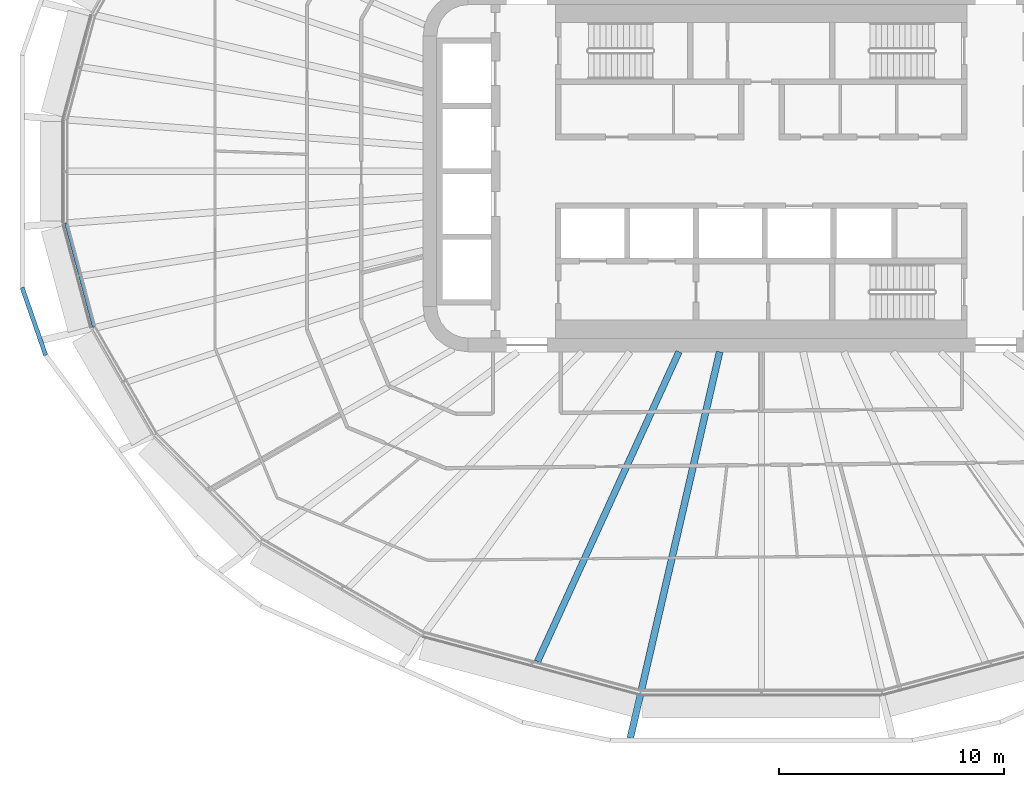
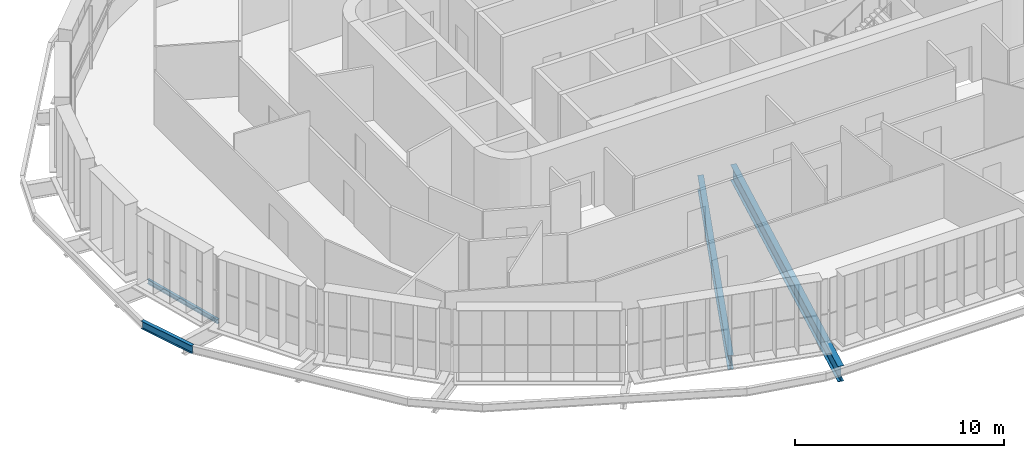
# One storey, part 2 of 24: 4 beams.
"""IFC4 building model written with IfcOpenShell, lengths in metres."""

from ifc_helpers import new_model, si_unit, direction, frame, origin, origin_2d, place, context, subcontext, project, spatial, i_section, extrude, material, material_profile, profile_set, type_object, element, save


model = new_model("IFC4")

# Units and contexts
model_context = context("Model", 3, precision=1e-05, world=origin(), true_north=direction((0.0, 1.0)))
body_context = subcontext(model_context, "Body", "Model", "MODEL_VIEW")
ifc_project = project(units=[si_unit("LENGTHUNIT", "METRE"), si_unit("AREAUNIT", "SQUARE_METRE"), si_unit("VOLUMEUNIT", "CUBIC_METRE"), si_unit("PLANEANGLEUNIT", "RADIAN"), si_unit("MASSUNIT", "GRAM", prefix="KILO")], contexts=[model_context])

# Site, building, storey
site_placement = place(None, origin())
site = spatial("IfcSite", under=ifc_project, at=site_placement, CompositionType="ELEMENT")
building_placement = place(site_placement, origin())
building = spatial("IfcBuilding", under=site, at=building_placement, Name="Sahrelin Media Tower", CompositionType="ELEMENT")
storey_placement = place(building_placement, frame((0.0, 0.0, 67.199951171875)))
storey = spatial("IfcBuildingStorey", under=building, at=storey_placement, Name="L11", CompositionType="ELEMENT", Elevation=67.199951171875)

# Beams
ifc_material = material(Name="Steel S355", Category="steel")
ifc_material_profile_1 = material_profile(ifc_material, i_section(OverallWidth=0.14599609375, OverallDepth=0.25146484375, WebThickness=0.006103515625, FlangeThickness=0.008544921875, FilletRadius=0.007568359375, at=origin_2d()), Name="UB 254x146x31")
ifc_profile_set_1 = profile_set([ifc_material_profile_1], Name="Steel S355")
beam_type_1 = type_object("IfcBeamType", Name="Edge beam EB1", PredefinedType="BEAM", material=ifc_profile_set_1)
beam_1_placement = place(storey_placement, frame((-29.593505859375, -6.903564453125, -0.275634765625), z_axis=(-0.258798441609, 0.965931346743, 0.0), x_axis=(-0.965931346743, -0.258798441609, 0.0)))
element("IfcBeam", 1, at=beam_1_placement, inside=storey, type_object=beam_type_1, Name="Edge beam L11-12", PredefinedType="BEAM", context=body_context, shape_type="SweptSolid", body=[
    extrude(i_section(OverallWidth=0.14599609375, OverallDepth=0.25146484375, WebThickness=0.006103515625, FlangeThickness=0.008544921875, FilletRadius=0.007568359375, at=origin_2d()), origin(), (0.0, 0.0, 1.0), 4.76220703125),
])
ifc_material_profile_2 = material_profile(ifc_material, i_section(OverallWidth=0.30322265625, OverallDepth=0.903076171875, WebThickness=0.01513671875, FlangeThickness=0.020263671875, FilletRadius=0.01904296875, at=origin_2d()), Name="UB 914x305x201")
ifc_profile_set_2 = profile_set([ifc_material_profile_2], Name="Steel S355")
beam_type_2 = type_object("IfcBeamType", Name="Radial primary beam PB11", PredefinedType="BEAM", material=ifc_profile_set_2)
beam_2_placement = place(storey_placement, frame((-1.85009765625, -8.0, -0.6015625), z_axis=(-0.22529943157, -0.974289569961, 0.0), x_axis=(0.974289569961, -0.22529943157, 0.0)))
element("IfcBeam", 2, at=beam_2_placement, inside=storey, type_object=beam_type_2, Name="Radial beam L11-18", PredefinedType="BEAM", context=body_context, shape_type="SweptSolid", body=[
    extrude(i_section(OverallWidth=0.30322265625, OverallDepth=0.903076171875, WebThickness=0.01513671875, FlangeThickness=0.020263671875, FilletRadius=0.01904296875, at=origin_2d()), origin(), (0.0, 0.0, 1.0), 17.58935546875),
])
ifc_material_profile_3 = material_profile(ifc_material, i_section(OverallWidth=0.291748046875, OverallDepth=0.8349609375, WebThickness=0.013916015625, FlangeThickness=0.018798828125, FilletRadius=0.017822265625, at=origin_2d()), Name="UB 838x292x176")
ifc_profile_set_3 = profile_set([ifc_material_profile_3], Name="Steel S355")
beam_type_3 = type_object("IfcBeamType", Name="Radial secondary beam SB10", PredefinedType="BEAM", material=ifc_profile_set_3)
beam_3_placement = place(storey_placement, frame((-3.653564453125, -8.0, -0.5673828125), z_axis=(-0.415408664059, -0.909634894793, 0.0), x_axis=(0.909634894793, -0.415408664059, 0.0)))
element("IfcBeam", 3, at=beam_3_placement, inside=storey, type_object=beam_type_3, Name="Secondary beam L11-17", PredefinedType="BEAM", context=body_context, shape_type="SweptSolid", body=[
    extrude(i_section(OverallWidth=0.291748046875, OverallDepth=0.8349609375, WebThickness=0.013916015625, FlangeThickness=0.018798828125, FilletRadius=0.017822265625, at=origin_2d()), origin(), (0.0, 0.0, 1.0), 15.103515625),
])
ifc_material_profile_4 = material_profile(ifc_material, i_section(OverallWidth=0.1904296875, OverallDepth=0.45703125, WebThickness=0.009033203125, FlangeThickness=0.014404296875, FilletRadius=0.01025390625, at=origin_2d()), Name="UB 457x191x74")
ifc_profile_set_4 = profile_set([ifc_material_profile_4], Name="Steel S355")
beam_type_4 = type_object("IfcBeamType", Name="Tie chord TC5", PredefinedType="BEAM", material=ifc_profile_set_4)
beam_4_placement = place(storey_placement, frame((-32.7822265625, -5.154052734375, -0.37841796875), z_axis=(0.328794988559, -0.944401321207, 0.0), x_axis=(0.944401321207, 0.328794988559, 0.0)))
element("IfcBeam", 4, at=beam_4_placement, inside=storey, type_object=beam_type_4, Name="Tie chord L11-13", PredefinedType="BEAM", context=body_context, shape_type="SweptSolid", body=[
    extrude(i_section(OverallWidth=0.1904296875, OverallDepth=0.45703125, WebThickness=0.009033203125, FlangeThickness=0.014404296875, FilletRadius=0.01025390625, at=origin_2d()), origin(), (0.0, 0.0, 1.0), 3.175048828125),
])

save(model, "model.ifc")
